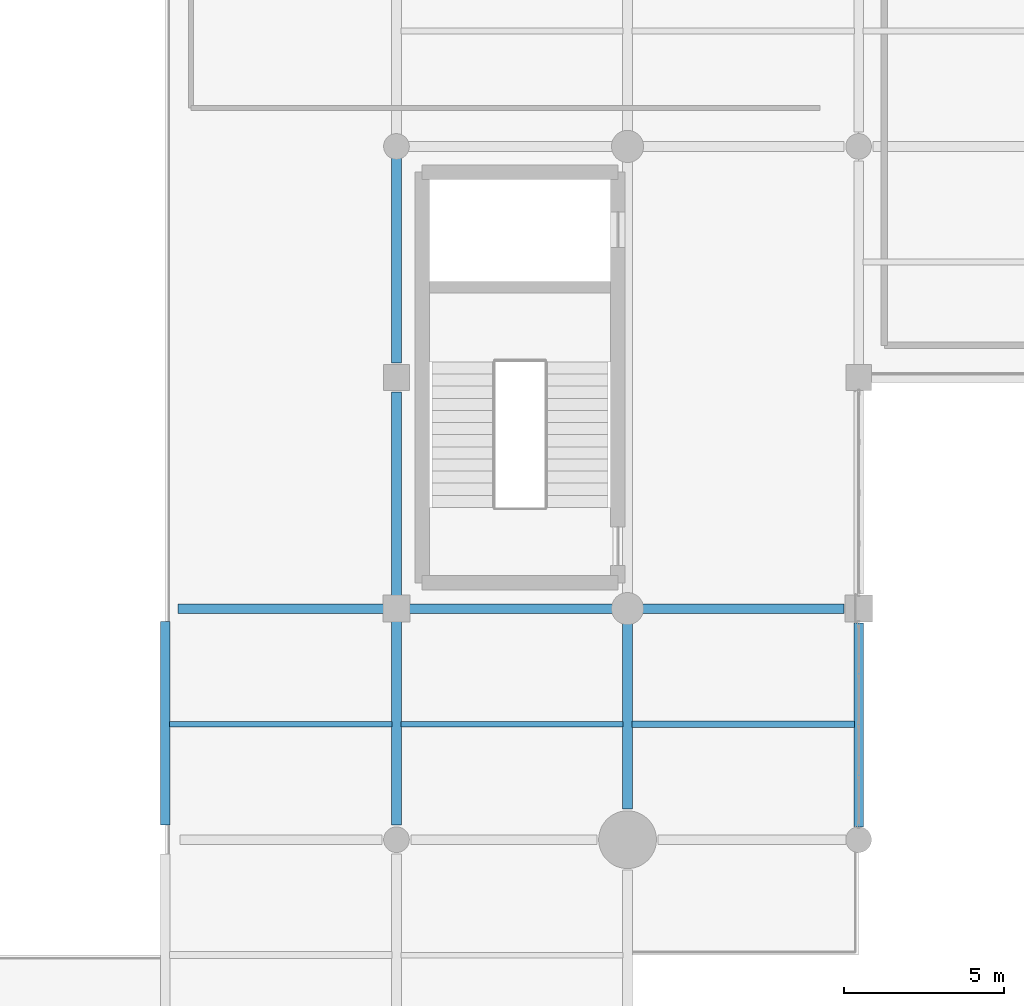
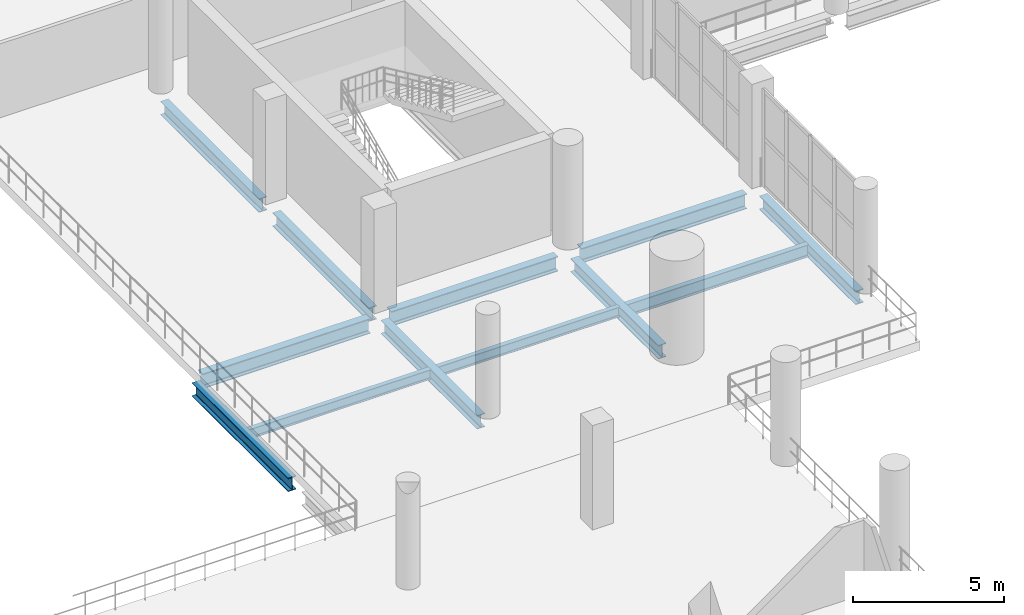
# One storey, part 36 of 153: 12 beams.
"""IFC4 building model written with IfcOpenShell, lengths in metres."""

from ifc_helpers import new_model, si_unit, direction, frame, origin, origin_2d, place, context, subcontext, project, spatial, i_section, extrude, material, material_profile, profile_set, type_object, element, save


model = new_model("IFC4")

# Units and contexts
model_context = context("Model", 3, precision=1e-05, world=origin(), true_north=direction((0.0, 1.0)))
body_context = subcontext(model_context, "Body", "Model", "MODEL_VIEW")
ifc_project = project(units=[si_unit("LENGTHUNIT", "METRE"), si_unit("AREAUNIT", "SQUARE_METRE"), si_unit("VOLUMEUNIT", "CUBIC_METRE"), si_unit("PLANEANGLEUNIT", "RADIAN"), si_unit("MASSUNIT", "GRAM", prefix="KILO")], contexts=[model_context])

# Site, building, storey
site_placement = place(None, origin())
site = spatial("IfcSite", under=ifc_project, at=site_placement, CompositionType="ELEMENT")
building_placement = place(site_placement, origin())
building = spatial("IfcBuilding", under=site, at=building_placement, Name="Qandorah Velis Arena", CompositionType="ELEMENT")
storey_placement = place(building_placement, frame((0.0, 0.0, 5.39990234375)))
storey = spatial("IfcBuildingStorey", under=building, at=storey_placement, Name="L01", CompositionType="ELEMENT", Elevation=5.39990234375)

# Beams
ifc_material = material(Name="Steel S355", Category="steel")
ifc_material_profile_1 = material_profile(ifc_material, i_section(OverallWidth=0.300048828125, OverallDepth=0.550048828125, WebThickness=0.014892578125, FlangeThickness=0.029052734375, FilletRadius=0.027099609375, at=origin_2d()), Name="HEB 550")
ifc_profile_set_1 = profile_set([ifc_material_profile_1], Name="Steel S355")
beam_type_1 = type_object("IfcBeamType", Name="STR-BM-HEB550", PredefinedType="BEAM", material=ifc_profile_set_1)
for number, where, z_axis, x_axis, name in (
    (1, (100.800048828125, 29.25, -0.635009765625), (0.0, 1.0, 0.0), (-1.0, 0.0, 0.0), "Primary floor girder L01 Y-354"),
    (2, (108.0, 29.25, -0.635009765625), (0.0, 1.0, 0.0), (-1.0, 0.0, 0.0), "Primary floor girder L01 Y-363"),
    (3, (108.0, 36.39990234375, -0.635009765625), (0.0, 1.0, 0.0), (-1.0, 0.0, 0.0), "Primary floor girder L01 Y-364"),
):
    element("IfcBeam", number, at=place(storey_placement, frame(where, z_axis=z_axis, x_axis=x_axis)), inside=storey, type_object=beam_type_1, Name=name, PredefinedType="BEAM", context=body_context, shape_type="SweptSolid", body=[
        extrude(i_section(OverallWidth=0.300048828125, OverallDepth=0.550048828125, WebThickness=0.014892578125, FlangeThickness=0.029052734375, FilletRadius=0.027099609375, at=origin_2d()), origin(), (0.0, 0.0, 1.0), 6.35009765625),
    ])
beam_1_placement = place(storey_placement, frame((108.0, 43.64990234375, -0.635009765625), z_axis=(0.0, 1.0, 0.0), x_axis=(-1.0, 0.0, 0.0)))
element("IfcBeam", 4, at=beam_1_placement, inside=storey, type_object=beam_type_1, Name="Primary floor girder L01 Y-365", PredefinedType="BEAM", context=body_context, shape_type="SweptSolid", body=[
    extrude(i_section(OverallWidth=0.300048828125, OverallDepth=0.550048828125, WebThickness=0.014892578125, FlangeThickness=0.029052734375, FilletRadius=0.027099609375, at=origin_2d()), origin(), (0.0, 0.0, 1.0), 6.5),
])
beam_2_placement = place(storey_placement, frame((115.199951171875, 29.75, -0.635009765625), z_axis=(0.0, 1.0, 0.0), x_axis=(-1.0, 0.0, 0.0)))
element("IfcBeam", 5, at=beam_2_placement, inside=storey, type_object=beam_type_1, Name="Primary floor girder L01 Y-381", PredefinedType="BEAM", context=body_context, shape_type="SweptSolid", body=[
    extrude(i_section(OverallWidth=0.300048828125, OverallDepth=0.550048828125, WebThickness=0.014892578125, FlangeThickness=0.029052734375, FilletRadius=0.027099609375, at=origin_2d()), origin(), (0.0, 0.0, 1.0), 5.800048828125),
])
beam_3_placement = place(storey_placement, frame((122.39990234375, 29.199951171875, -0.635009765625), z_axis=(0.0, 1.0, 0.0), x_axis=(-1.0, 0.0, 0.0)))
element("IfcBeam", 6, at=beam_3_placement, inside=storey, type_object=beam_type_1, Name="Primary floor girder L01 Y-394", PredefinedType="BEAM", context=body_context, shape_type="SweptSolid", body=[
    extrude(i_section(OverallWidth=0.300048828125, OverallDepth=0.550048828125, WebThickness=0.014892578125, FlangeThickness=0.029052734375, FilletRadius=0.027099609375, at=origin_2d()), origin(), (0.0, 0.0, 1.0), 6.35009765625),
])
ifc_material_profile_2 = material_profile(ifc_material, i_section(OverallWidth=0.300048828125, OverallDepth=0.60009765625, WebThickness=0.015380859375, FlangeThickness=0.030029296875, FilletRadius=0.027099609375, at=origin_2d()), Name="HEB 600")
ifc_profile_set_2 = profile_set([ifc_material_profile_2], Name="Steel S355")
beam_type_2 = type_object("IfcBeamType", Name="STR-BM-HEB600", PredefinedType="BEAM", material=ifc_profile_set_2)
beam_4_placement = place(storey_placement, frame((101.199951171875, 36.0, -0.659912109375), z_axis=(1.0, 0.0, 0.0), x_axis=(0.0, 1.0, 0.0)))
element("IfcBeam", 7, at=beam_4_placement, inside=storey, type_object=beam_type_2, Name="Primary floor girder L01 X-076", PredefinedType="BEAM", context=body_context, shape_type="SweptSolid", body=[
    extrude(i_section(OverallWidth=0.300048828125, OverallDepth=0.60009765625, WebThickness=0.015380859375, FlangeThickness=0.030029296875, FilletRadius=0.027099609375, at=origin_2d()), origin(), (0.0, 0.0, 1.0), 6.400146484375),
])
beam_5_placement = place(storey_placement, frame((108.39990234375, 36.0, -0.659912109375), z_axis=(1.0, 0.0, 0.0), x_axis=(0.0, 1.0, 0.0)))
element("IfcBeam", 8, at=beam_5_placement, inside=storey, type_object=beam_type_2, Name="Primary floor girder L01 X-077", PredefinedType="BEAM", context=body_context, shape_type="SweptSolid", body=[
    extrude(i_section(OverallWidth=0.300048828125, OverallDepth=0.60009765625, WebThickness=0.015380859375, FlangeThickness=0.030029296875, FilletRadius=0.027099609375, at=origin_2d()), origin(), (0.0, 0.0, 1.0), 6.35009765625),
])
beam_6_placement = place(storey_placement, frame((115.64990234375, 36.0, -0.659912109375), z_axis=(1.0, 0.0, 0.0), x_axis=(0.0, 1.0, 0.0)))
element("IfcBeam", 9, at=beam_6_placement, inside=storey, type_object=beam_type_2, Name="Primary floor girder L01 X-078", PredefinedType="BEAM", context=body_context, shape_type="SweptSolid", body=[
    extrude(i_section(OverallWidth=0.300048828125, OverallDepth=0.60009765625, WebThickness=0.015380859375, FlangeThickness=0.030029296875, FilletRadius=0.027099609375, at=origin_2d()), origin(), (0.0, 0.0, 1.0), 6.300048828125),
])
ifc_material_profile_3 = material_profile(ifc_material, i_section(OverallWidth=0.179931640625, OverallDepth=0.39990234375, WebThickness=0.008544921875, FlangeThickness=0.013427734375, FilletRadius=0.02099609375, at=origin_2d()), Name="IPE 400")
ifc_profile_set_3 = profile_set([ifc_material_profile_3], Name="Steel S355")
beam_type_3 = type_object("IfcBeamType", Name="STR-JST-IPE400", PredefinedType="JOIST", material=ifc_profile_set_3)
for number, where, z_axis, x_axis, name in (
    (10, (100.93505859375, 32.39990234375, -0.559814453125), (1.0, 0.0, 0.0), (0.0, 1.0, 0.0), "Secondary floor joist L01-112"),
    (11, (108.135009765625, 32.39990234375, -0.559814453125), (1.0, 0.0, 0.0), (0.0, 1.0, 0.0), "Secondary floor joist L01-121"),
):
    element("IfcBeam", number, at=place(storey_placement, frame(where, z_axis=z_axis, x_axis=x_axis)), inside=storey, type_object=beam_type_3, Name=name, PredefinedType="JOIST", context=body_context, shape_type="SweptSolid", body=[
        extrude(i_section(OverallWidth=0.179931640625, OverallDepth=0.39990234375, WebThickness=0.008544921875, FlangeThickness=0.013427734375, FilletRadius=0.02099609375, at=origin_2d()), origin(), (0.0, 0.0, 1.0), 6.929931640625),
    ])
ifc_material_profile_4 = material_profile(ifc_material, i_section(OverallWidth=0.199951171875, OverallDepth=0.5, WebThickness=0.01025390625, FlangeThickness=0.01611328125, FilletRadius=0.02099609375, at=origin_2d()), Name="IPE 500")
ifc_profile_set_4 = profile_set([ifc_material_profile_4], Name="Steel S355")
beam_type_4 = type_object("IfcBeamType", Name="STR-JST-IPE500", PredefinedType="JOIST", material=ifc_profile_set_4)
beam_7_placement = place(storey_placement, frame((115.3349609375, 32.39990234375, -0.60986328125), z_axis=(1.0, 0.0, 0.0), x_axis=(0.0, 1.0, 0.0)))
element("IfcBeam", 12, at=beam_7_placement, inside=storey, type_object=beam_type_4, Name="Secondary floor joist L01-133", PredefinedType="JOIST", context=body_context, shape_type="SweptSolid", body=[
    extrude(i_section(OverallWidth=0.199951171875, OverallDepth=0.5, WebThickness=0.01025390625, FlangeThickness=0.01611328125, FilletRadius=0.02099609375, at=origin_2d()), origin(), (0.0, 0.0, 1.0), 6.929931640625),
])

save(model, "model.ifc")
